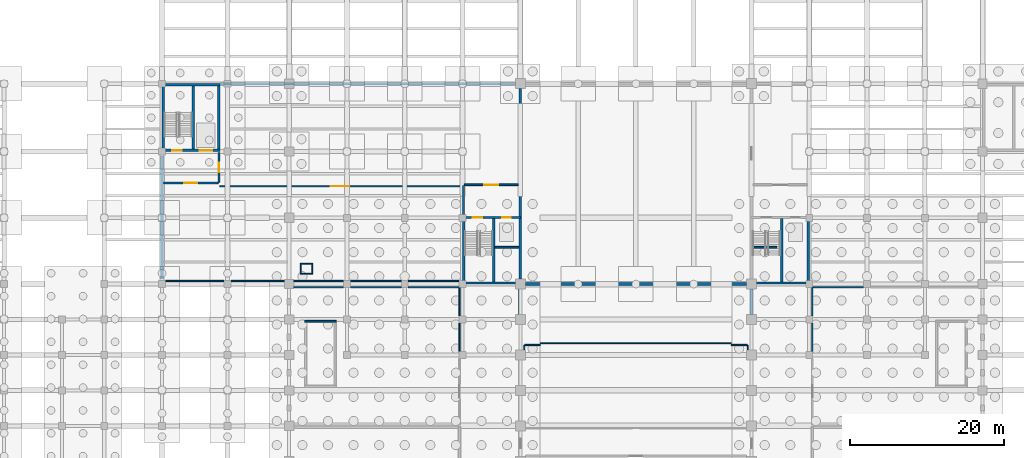
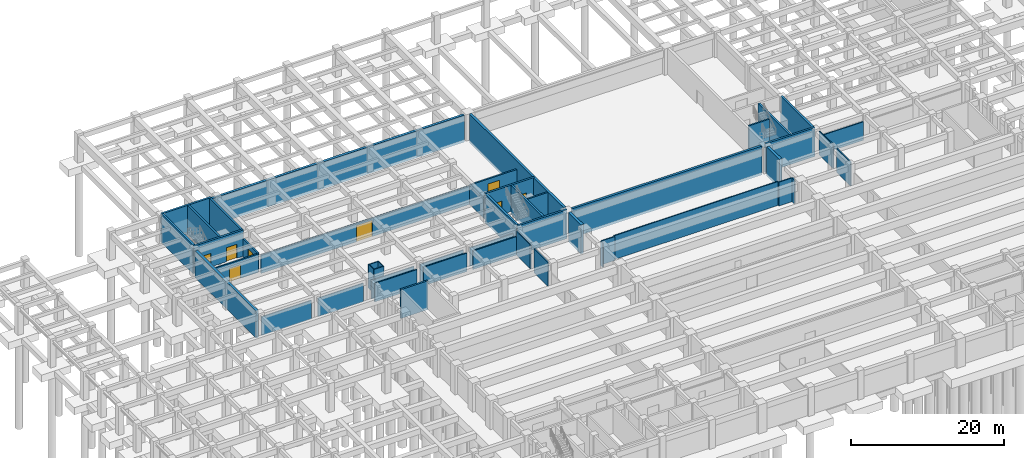
# One storey, part 24 of 32: 48 walls, 8 doors, 8 openings.
"""IFC4 building model written with IfcOpenShell, lengths in metres."""

from ifc_helpers import new_model, si_unit, direction, frame, frame_2d, origin, place, context, subcontext, project, spatial, rectangle, extrude, material, layer, layer_set, type_object, element, fill, save


model = new_model("IFC4")

# Units and contexts
model_context = context("Model", 3, precision=1e-05, world=origin(), true_north=direction((0.0, 1.0)))
body_context = subcontext(model_context, "Body", "Model", "MODEL_VIEW")
ifc_project = project(units=[si_unit("LENGTHUNIT", "METRE"), si_unit("AREAUNIT", "SQUARE_METRE"), si_unit("VOLUMEUNIT", "CUBIC_METRE"), si_unit("PLANEANGLEUNIT", "RADIAN"), si_unit("MASSUNIT", "GRAM", prefix="KILO")], contexts=[model_context])

# Site, building, storey
site_placement = place(None, origin())
site = spatial("IfcSite", under=ifc_project, at=site_placement, CompositionType="ELEMENT")
building_placement = place(site_placement, origin())
building = spatial("IfcBuilding", under=site, at=building_placement, Name="Muzn Square Opera House", CompositionType="ELEMENT")
storey_placement = place(building_placement, frame((0.0, 0.0, -4.199951171875)))
storey = spatial("IfcBuildingStorey", under=building, at=storey_placement, Name="B1", CompositionType="ELEMENT", Elevation=-4.199951171875)

# Walls
ifc_material_1 = material(Name="Concrete C45/55", Category="concrete")
ifc_layer_1 = layer(ifc_material_1, 0.419921875, Name="Concrete C45/55", Category="concrete")
ifc_layer_set_1 = layer_set([ifc_layer_1], Name="Concrete C45/55")
wall_type_1 = type_object("IfcWallType", Name="Auditorium Acoustic Shear Wall 420mm", PredefinedType="SHEAR", material=ifc_layer_set_1)
for number, where, z_axis, x_axis, name in (
    (1, (73.0, 68.639892578125, -0.420166015625), (0.0, 0.0, 1.0), (0.0, 1.0, 0.0), "Auditorium Acoustic Shear Wall AUDW-B1-W10"),
    (2, (103.0, 68.639892578125, -0.420166015625), (0.0, 0.0, 1.0), (0.0, 1.0, 0.0), "Auditorium Acoustic Shear Wall AUDW-B1-E10"),
):
    element("IfcWall", number, at=place(storey_placement, frame(where, z_axis=z_axis, x_axis=x_axis)), inside=storey, type_object=wall_type_1, Name=name, PredefinedType="SHEAR", context=body_context, shape_type="SweptSolid", body=[
        extrude(rectangle(XDim=3.320068359375, YDim=0.419921875, at=frame_2d((1.66015625, 0.0))), origin(), (0.0, 0.0, 1.0), 4.6201171875),
    ])
ifc_layer_2 = layer(ifc_material_1, 0.3798828125, Name="Concrete C45/55", Category="concrete")
ifc_layer_set_2 = layer_set([ifc_layer_2], Name="Concrete C45/55")
wall_type_2 = type_object("IfcWallType", Name="Basement Retaining Wall 380mm", PredefinedType="SHEAR", material=ifc_layer_set_2)
wall_1_placement = place(storey_placement, frame((26.5, 73.25, -0.420166015625), z_axis=(0.0, 0.0, 1.0), x_axis=(0.0, 1.0, 0.0)))
element("IfcWall", 3, at=wall_1_placement, inside=storey, type_object=wall_type_2, Name="Basement Retaining Wall RET-B1-WN", PredefinedType="SHEAR", context=body_context, shape_type="SweptSolid", body=[
    extrude(rectangle(XDim=15.949951171875, YDim=0.3798828125, at=frame_2d((7.97509765625, 0.0))), origin(), (0.0, 0.0, 1.0), 4.300048828125),
])
wall_2_placement = place(storey_placement, frame((34.02001953125, 98.60009765625, -0.420166015625), z_axis=(0.0, 0.0, 1.0), x_axis=(1.0, 0.0, 0.0)))
element("IfcWall", 4, at=wall_2_placement, inside=storey, type_object=wall_type_2, Name="Basement Retaining Wall RET-B1-NW", PredefinedType="SHEAR", context=body_context, shape_type="SweptSolid", body=[
    extrude(rectangle(XDim=38.330078125, YDim=0.3798828125, at=frame_2d((19.1650390625, 0.0))), origin(), (0.0, 0.0, 1.0), 4.300048828125),
])
ifc_layer_3 = layer(ifc_material_1, 0.300048828125, Name="Concrete C45/55", Category="concrete")
ifc_layer_set_3 = layer_set([ifc_layer_3], Name="Concrete C45/55")
wall_type_3 = type_object("IfcWallType", Name="Core Shear Wall 300mm", PredefinedType="SHEAR", material=ifc_layer_set_3)
wall_3_placement = place(storey_placement, frame((65.5, 72.75, -0.420166015625), z_axis=(0.0, 0.0, 1.0), x_axis=(1.0, 0.0, 0.0)))
element("IfcWall", 5, at=wall_3_placement, inside=storey, type_object=wall_type_3, Name="Core C1 Shear Wall SW-C1-B1-S", PredefinedType="SHEAR", context=body_context, shape_type="SweptSolid", body=[
    extrude(rectangle(XDim=7.5, YDim=0.300048828125, at=frame_2d((3.75, 0.0))), origin(), (0.0, 0.0, 1.0), 4.6201171875),
])
for number, where, z_axis, x_axis, name in (
    (6, (65.64990234375, 72.89990234375, -0.420166015625), (0.0, 0.0, 1.0), (0.0, 1.0, 0.0), "Core C1 Shear Wall SW-C1-B1-W"),
    (7, (69.550048828125, 72.89990234375, -0.420166015625), (0.0, 0.0, 1.0), (0.0, 1.0, 0.0), "Core C1 Shear Wall SW-C1-B1-DIV"),
):
    element("IfcWall", number, at=place(storey_placement, frame(where, z_axis=z_axis, x_axis=x_axis)), inside=storey, type_object=wall_type_3, Name=name, PredefinedType="SHEAR", context=body_context, shape_type="SweptSolid", body=[
        extrude(rectangle(XDim=8.2001953125, YDim=0.300048828125, at=frame_2d((4.10009765625, 0.0))), origin(), (0.0, 0.0, 1.0), 4.6201171875),
    ])
wall_4_placement = place(storey_placement, frame((103.0, 72.75, -0.420166015625), z_axis=(0.0, 0.0, 1.0), x_axis=(1.0, 0.0, 0.0)))
element("IfcWall", 8, at=wall_4_placement, inside=storey, type_object=wall_type_3, Name="Core C2 Shear Wall SW-C2-B1-S", PredefinedType="SHEAR", context=body_context, shape_type="SweptSolid", body=[
    extrude(rectangle(XDim=7.5, YDim=0.300048828125, at=frame_2d((3.75, 0.0))), origin(), (0.0, 0.0, 1.0), 4.6201171875),
])
for number, where, z_axis, x_axis, name in (
    (9, (110.35009765625, 72.89990234375, -0.420166015625), (0.0, 0.0, 1.0), (0.0, 1.0, 0.0), "Core C2 Shear Wall SW-C2-B1-E"),
    (10, (106.919921875, 72.89990234375, -0.420166015625), (0.0, 0.0, 1.0), (0.0, 1.0, 0.0), "Core C2 Shear Wall SW-C2-B1-DIV"),
):
    element("IfcWall", number, at=place(storey_placement, frame(where, z_axis=z_axis, x_axis=x_axis)), inside=storey, type_object=wall_type_3, Name=name, PredefinedType="SHEAR", context=body_context, shape_type="SweptSolid", body=[
        extrude(rectangle(XDim=8.2001953125, YDim=0.300048828125, at=frame_2d((4.10009765625, 0.0))), origin(), (0.0, 0.0, 1.0), 4.6201171875),
    ])
wall_5_placement = place(storey_placement, frame((26.5, 98.449951171875, -0.420166015625), z_axis=(0.0, 0.0, 1.0), x_axis=(1.0, 0.0, 0.0)))
element("IfcWall", 11, at=wall_5_placement, inside=storey, type_object=wall_type_3, Name="Core C6 Shear Wall SW-C6-B1-N", PredefinedType="SHEAR", context=body_context, shape_type="SweptSolid", body=[
    extrude(rectangle(XDim=7.5, YDim=0.300048828125, at=frame_2d((3.75, 0.0))), origin(), (0.0, 0.0, 1.0), 4.6201171875),
])
for number, where, z_axis, x_axis, name in (
    (12, (26.64990234375, 90.10009765625, -0.420166015625), (0.0, 0.0, 1.0), (0.0, 1.0, 0.0), "Core C6 Shear Wall SW-C6-B1-W"),
    (13, (33.85009765625, 90.10009765625, -0.420166015625), (0.0, 0.0, 1.0), (0.0, 1.0, 0.0), "Core C6 Shear Wall SW-C6-B1-E"),
    (14, (30.550048828125, 90.10009765625, -0.420166015625), (0.0, 0.0, 1.0), (0.0, 1.0, 0.0), "Core C6 Shear Wall SW-C6-B1-DIV"),
):
    element("IfcWall", number, at=place(storey_placement, frame(where, z_axis=z_axis, x_axis=x_axis)), inside=storey, type_object=wall_type_3, Name=name, PredefinedType="SHEAR", context=body_context, shape_type="SweptSolid", body=[
        extrude(rectangle(XDim=8.199951171875, YDim=0.300048828125, at=frame_2d((4.10009765625, 0.0))), origin(), (0.0, 0.0, 1.0), 4.6201171875),
    ])
wall_6_placement = place(storey_placement, frame((45.0, 67.77490234375, -0.420166015625), z_axis=(0.0, 0.0, 1.0), x_axis=(1.0, 0.0, 0.0)))
element("IfcWall", 15, at=wall_6_placement, inside=storey, type_object=wall_type_3, Name="Escape Stair ST-9 Substructure Wall N", PredefinedType="SHEAR", context=body_context, shape_type="SweptSolid", body=[
    extrude(rectangle(XDim=4.10009765625, YDim=0.25, at=frame_2d((2.050048828125, 0.0))), origin(), (0.0, 0.0, 1.0), 4.6201171875),
])

# Wall, openings, doors
wall_7_placement = place(storey_placement, frame((65.5, 81.25, 0.0), z_axis=(0.0, 0.0, 1.0), x_axis=(1.0, 0.0, 0.0)))
wall_7 = element("IfcWall", 16, at=wall_7_placement, inside=storey, type_object=wall_type_3, Name="Core C1 Front Shear Wall B1", PredefinedType="SHEAR", context=body_context, shape_type="SweptSolid", body=[
    extrude(rectangle(XDim=7.5, YDim=0.300048828125, at=frame_2d((3.75, 0.0))), origin(), (0.0, 0.0, 1.0), 4.199951171875),
])
opening_1_placement = place(wall_7_placement, frame((1.35009765625, 0.0, 0.0)))
opening_1 = element("IfcOpeningElement", 17, at=opening_1_placement, cuts=wall_7, Name="Opening DR-ST12", PredefinedType="OPENING", context=body_context, shape_type="SweptSolid", body=[
    extrude(rectangle(XDim=1.199951171875, YDim=2.14990234375, at=frame_2d((0.60009765625, 1.074951171875))), frame((0.0, 0.159912109375, 0.0), z_axis=(0.0, -1.0, 0.0), x_axis=(1.0, 0.0, 0.0)), (0.0, 0.0, 1.0), 0.320068359375),
])
opening_2_placement = place(wall_7_placement, frame((5.14990234375, 0.0, 0.0)))
opening_2 = element("IfcOpeningElement", 18, at=opening_2_placement, cuts=wall_7, Name="Opening LD-01", PredefinedType="OPENING", context=body_context, shape_type="SweptSolid", body=[
    extrude(rectangle(XDim=1.10009765625, YDim=2.14990234375, at=frame_2d((0.550048828125, 1.074951171875))), frame((0.0, 0.159912109375, 0.0), z_axis=(0.0, -1.0, 0.0), x_axis=(1.0, 0.0, 0.0)), (0.0, 0.0, 1.0), 0.320068359375),
])
ifc_material_2 = material(Name="Galvanised painted steel leaf", Category="metal")
door_type_1 = type_object("IfcDoorType", Name="Core Stair Fire Door 1200x2150", OperationType="NOTDEFINED", PredefinedType="DOOR", material=ifc_material_2)
door_1_placement = place(opening_1_placement, origin())
door_1 = element("IfcDoor", 19, at=door_1_placement, inside=storey, type_object=door_type_1, Name="Core C1 Stair Door B1", OperationType="SINGLE_SWING_LEFT", OverallHeight=2.14990234375, OverallWidth=1.199951171875, PredefinedType="DOOR", context=body_context, shape_type="SweptSolid", body=[
    extrude(rectangle(XDim=1.199951171875, YDim=2.14990234375, at=frame_2d((0.60009765625, 1.074951171875))), frame((0.0, 0.02490234375, 0.0), z_axis=(0.0, -1.0, 0.0), x_axis=(1.0, 0.0, 0.0)), (0.0, 0.0, 1.0), 0.050048828125),
])
fill(opening_1, door_1)
ifc_material_3 = material(Name="Brushed stainless steel", Category="metal")
door_type_2 = type_object("IfcDoorType", Name="Lift Landing Sliding Door 1100x2150", OperationType="SLIDING_TO_LEFT", PredefinedType="DOOR", material=ifc_material_3)
door_2_placement = place(opening_2_placement, origin())
door_2 = element("IfcDoor", 20, at=door_2_placement, inside=storey, type_object=door_type_2, Name="Lift FFL-1 Sliding Landing Door B1", OperationType="SLIDING_TO_LEFT", OverallHeight=2.14990234375, OverallWidth=1.10009765625, PredefinedType="DOOR", context=body_context, shape_type="SweptSolid", body=[
    extrude(rectangle(XDim=1.10009765625, YDim=2.14990234375, at=frame_2d((0.550048828125, 1.074951171875))), frame((0.0, 0.02490234375, 0.0), z_axis=(0.0, -1.0, 0.0), x_axis=(1.0, 0.0, 0.0)), (0.0, 0.0, 1.0), 0.050048828125),
])
fill(opening_2, door_2)

wall_8_placement = place(storey_placement, frame((26.5, 89.949951171875, 0.0), z_axis=(0.0, 0.0, 1.0), x_axis=(1.0, 0.0, 0.0)))
wall_8 = element("IfcWall", 21, at=wall_8_placement, inside=storey, type_object=wall_type_3, Name="Core C6 Front Shear Wall B1", PredefinedType="SHEAR", context=body_context, shape_type="SweptSolid", body=[
    extrude(rectangle(XDim=7.5, YDim=0.300048828125, at=frame_2d((3.75, 0.0))), origin(), (0.0, 0.0, 1.0), 4.199951171875),
])
opening_3_placement = place(wall_8_placement, frame((2.550048828125, 0.0, 0.0), z_axis=(0.0, 0.0, 1.0), x_axis=(-1.0, 0.0, 0.0)))
opening_3 = element("IfcOpeningElement", 22, at=opening_3_placement, cuts=wall_8, Name="Opening DR-ST12", PredefinedType="OPENING", context=body_context, shape_type="SweptSolid", body=[
    extrude(rectangle(XDim=1.199951171875, YDim=2.14990234375, at=frame_2d((0.60009765625, 1.074951171875))), frame((0.0, 0.159912109375, 0.0), z_axis=(0.0, -1.0, 0.0), x_axis=(1.0, 0.0, 0.0)), (0.0, 0.0, 1.0), 0.320068359375),
])
opening_4_placement = place(wall_8_placement, frame((4.89990234375, 0.0, 0.0)))
opening_4 = element("IfcOpeningElement", 23, at=opening_4_placement, cuts=wall_8, Name="Opening LD-02", PredefinedType="OPENING", context=body_context, shape_type="SweptSolid", body=[
    extrude(rectangle(XDim=1.60009765625, YDim=2.25, at=frame_2d((0.800048828125, 1.125))), frame((0.0, 0.159912109375, 0.0), z_axis=(0.0, -1.0, 0.0), x_axis=(1.0, 0.0, 0.0)), (0.0, 0.0, 1.0), 0.320068359375),
])
door_3_placement = place(opening_3_placement, origin())
door_3 = element("IfcDoor", 24, at=door_3_placement, inside=storey, type_object=door_type_1, Name="Core C6 Stair Door B1", OperationType="SINGLE_SWING_RIGHT", OverallHeight=2.14990234375, OverallWidth=1.199951171875, PredefinedType="DOOR", context=body_context, shape_type="SweptSolid", body=[
    extrude(rectangle(XDim=1.199951171875, YDim=2.14990234375, at=frame_2d((0.60009765625, 1.074951171875))), frame((0.0, 0.02490234375, 0.0), z_axis=(0.0, -1.0, 0.0), x_axis=(1.0, 0.0, 0.0)), (0.0, 0.0, 1.0), 0.050048828125),
])
fill(opening_3, door_3)
door_type_3 = type_object("IfcDoorType", Name="Goods Lift Sliding Door 1600x2250", OperationType="SLIDING_TO_LEFT", PredefinedType="DOOR", material=ifc_material_3)
door_4_placement = place(opening_4_placement, origin())
door_4 = element("IfcDoor", 25, at=door_4_placement, inside=storey, type_object=door_type_3, Name="Lift GL-1 Sliding Landing Door B1", OperationType="SLIDING_TO_LEFT", OverallHeight=2.25, OverallWidth=1.60009765625, PredefinedType="DOOR", context=body_context, shape_type="SweptSolid", body=[
    extrude(rectangle(XDim=1.60009765625, YDim=2.25, at=frame_2d((0.800048828125, 1.125))), frame((0.0, 0.02490234375, 0.0), z_axis=(0.0, -1.0, 0.0), x_axis=(1.0, 0.0, 0.0)), (0.0, 0.0, 1.0), 0.050048828125),
])
fill(opening_4, door_4)

# Wall, opening, door
ifc_material_4 = material(Name="Concrete C40/50", Category="concrete")
ifc_layer_4 = layer(ifc_material_4, 0.239990234375, Name="Concrete C40/50", Category="concrete")
ifc_layer_set_4 = layer_set([ifc_layer_4], Name="Concrete C40/50")
wall_type_4 = type_object("IfcWallType", Name="Firefighting Lobby Wall 240mm", PredefinedType="SOLIDWALL", material=ifc_layer_set_4)
wall_9_placement = place(storey_placement, frame((65.739990234375, 85.47998046875, 0.0), z_axis=(0.0, 0.0, 1.0), x_axis=(1.0, 0.0, 0.0)))
wall_9 = element("IfcWall", 26, at=wall_9_placement, inside=storey, type_object=wall_type_4, Name="Lobby C1 Enclosure Wall B1", PredefinedType="SOLIDWALL", context=body_context, shape_type="SweptSolid", body=[
    extrude(rectangle(XDim=7.02001953125, YDim=0.239990234375, at=frame_2d((3.510009765625, 0.0))), origin(), (0.0, 0.0, 1.0), 2.9599609375),
])
opening_5_placement = place(wall_9_placement, frame((2.610107421875, 0.0, 0.0)))
opening_5 = element("IfcOpeningElement", 27, at=opening_5_placement, cuts=wall_9, Name="Opening DR-FL18", PredefinedType="OPENING", context=body_context, shape_type="SweptSolid", body=[
    extrude(rectangle(XDim=1.800048828125, YDim=2.179931640625, at=frame_2d((0.89990234375, 1.08984375))), frame((0.0, 0.1298828125, 0.0), z_axis=(0.0, -1.0, 0.0), x_axis=(1.0, 0.0, 0.0)), (0.0, 0.0, 1.0), 0.260009765625),
])
door_type_4 = type_object("IfcDoorType", Name="Firefighting Lobby Double Door 1800x2180", OperationType="DOUBLE_DOOR_SINGLE_SWING", PredefinedType="DOOR", material=ifc_material_2)
door_5_placement = place(opening_5_placement, origin())
door_5 = element("IfcDoor", 28, at=door_5_placement, inside=storey, type_object=door_type_4, Name="Lobby C1 Fire Door B1", OperationType="DOUBLE_DOOR_SINGLE_SWING", OverallHeight=2.179931640625, OverallWidth=1.800048828125, PredefinedType="DOOR", context=body_context, shape_type="SweptSolid", body=[
    extrude(rectangle(XDim=1.800048828125, YDim=2.179931640625, at=frame_2d((0.89990234375, 1.08984375))), frame((0.0, 0.02490234375, 0.0), z_axis=(0.0, -1.0, 0.0), x_axis=(1.0, 0.0, 0.0)), (0.0, 0.0, 1.0), 0.050048828125),
])
fill(opening_5, door_5)

# Walls
wall_10_placement = place(storey_placement, frame((65.6201171875, 81.550048828125, 0.0), z_axis=(0.0, 0.0, 1.0), x_axis=(0.0, 1.0, 0.0)))
element("IfcWall", 29, at=wall_10_placement, inside=storey, type_object=wall_type_4, Name="Lobby C1 Side Wall W B1", PredefinedType="SOLIDWALL", context=body_context, shape_type="SweptSolid", body=[
    extrude(rectangle(XDim=3.81005859375, YDim=0.239990234375, at=frame_2d((1.905029296875, 0.0))), origin(), (0.0, 0.0, 1.0), 2.9599609375),
])
ifc_layer_5 = layer(ifc_material_1, 0.35009765625, Name="Concrete C45/55", Category="concrete")
ifc_layer_set_5 = layer_set([ifc_layer_5], Name="Concrete C45/55")
wall_type_5 = type_object("IfcWallType", Name="Fly Tower Shear Wall 350mm", PredefinedType="SHEAR", material=ifc_layer_set_5)
wall_11_placement = place(storey_placement, frame((73.0, 73.239990234375, -0.420166015625), z_axis=(0.0, 0.0, 1.0), x_axis=(0.0, 1.0, 0.0)))
element("IfcWall", 30, at=wall_11_placement, inside=storey, type_object=wall_type_5, Name="Fly Tower Shear Wall FTW-B1-W", PredefinedType="SHEAR", context=body_context, shape_type="SweptSolid", body=[
    extrude(rectangle(XDim=24.719970703125, YDim=0.35009765625, at=frame_2d((12.35986328125, 0.0))), origin(), (0.0, 0.0, 1.0), 4.6201171875),
])
wall_12_placement = place(storey_placement, frame((73.639892578125, 72.60009765625, -0.420166015625), z_axis=(0.0, 0.0, 1.0), x_axis=(1.0, 0.0, 0.0)))
element("IfcWall", 31, at=wall_12_placement, inside=storey, type_object=wall_type_5, Name="Fly Tower Shear Wall FTW-B1-S", PredefinedType="SHEAR", context=body_context, shape_type="SweptSolid", body=[
    extrude(rectangle(XDim=28.72021484375, YDim=0.35009765625, at=frame_2d((14.360107421875, 0.0))), origin(), (0.0, 0.0, 1.0), 4.6201171875),
])
ifc_layer_6 = layer(ifc_material_4, 0.219970703125, Name="Concrete C40/50", Category="concrete")
ifc_layer_set_6 = layer_set([ifc_layer_6], Name="Concrete C40/50")
wall_type_6 = type_object("IfcWallType", Name="Lift Lobby Wall 220mm", PredefinedType="SOLIDWALL", material=ifc_layer_set_6)
for number, where, z_axis, x_axis, name in (
    (32, (69.699951171875, 77.3798828125, 0.0), (0.0, 0.0, 1.0), (1.0, 0.0, 0.0), "Core C1 Lift Shaft South Wall B1"),
    (33, (103.179931640625, 77.3798828125, 0.0), (0.0, 0.0, 1.0), (1.0, 0.0, 0.0), "Core C2 Lift Shaft South Wall B1"),
):
    element("IfcWall", number, at=place(storey_placement, frame(where, z_axis=z_axis, x_axis=x_axis)), inside=storey, type_object=wall_type_6, Name=name, PredefinedType="SOLIDWALL", context=body_context, shape_type="SweptSolid", body=[
        extrude(rectangle(XDim=3.1201171875, YDim=0.219970703125, at=frame_2d((1.56005859375, 0.0))), origin(), (0.0, 0.0, 1.0), 4.199951171875),
    ])

# Wall, opening, door
wall_13_placement = place(storey_placement, frame((26.719970703125, 85.7099609375, 0.0), z_axis=(0.0, 0.0, 1.0), x_axis=(1.0, 0.0, 0.0)))
wall_13 = element("IfcWall", 34, at=wall_13_placement, inside=storey, type_object=wall_type_6, Name="Lobby C6 Enclosure Wall B1", PredefinedType="SOLIDWALL", context=body_context, shape_type="SweptSolid", body=[
    extrude(rectangle(XDim=7.06005859375, YDim=0.219970703125, at=frame_2d((3.530029296875, 0.0))), origin(), (0.0, 0.0, 1.0), 2.9599609375),
])
opening_6_placement = place(wall_13_placement, frame((4.3798828125, 0.0, 0.0), z_axis=(0.0, 0.0, 1.0), x_axis=(-1.0, 0.0, 0.0)))
opening_6 = element("IfcOpeningElement", 35, at=opening_6_placement, cuts=wall_13, Name="Opening DR-LL17", PredefinedType="OPENING", context=body_context, shape_type="SweptSolid", body=[
    extrude(rectangle(XDim=1.699951171875, YDim=2.179931640625, at=frame_2d((0.85009765625, 1.08984375))), frame((0.0, 0.119873046875, 0.0), z_axis=(0.0, -1.0, 0.0), x_axis=(1.0, 0.0, 0.0)), (0.0, 0.0, 1.0), 0.239990234375),
])
ifc_material_5 = material(Name="Acoustic hardwood leaf", Category="wood")
door_type_5 = type_object("IfcDoorType", Name="Lift Lobby Double Door 1700x2180", OperationType="DOUBLE_DOOR_SINGLE_SWING", PredefinedType="DOOR", material=ifc_material_5)
door_6_placement = place(opening_6_placement, origin())
door_6 = element("IfcDoor", 36, at=door_6_placement, inside=storey, type_object=door_type_5, Name="Lobby C6 Fire Door B1", OperationType="DOUBLE_DOOR_SINGLE_SWING", OverallHeight=2.179931640625, OverallWidth=1.699951171875, PredefinedType="DOOR", context=body_context, shape_type="SweptSolid", body=[
    extrude(rectangle(XDim=1.699951171875, YDim=2.179931640625, at=frame_2d((0.85009765625, 1.08984375))), frame((0.0, 0.02490234375, 0.0), z_axis=(0.0, -1.0, 0.0), x_axis=(1.0, 0.0, 0.0)), (0.0, 0.0, 1.0), 0.050048828125),
])
fill(opening_6, door_6)

wall_14_placement = place(storey_placement, frame((33.889892578125, 85.820068359375, 0.0), z_axis=(0.0, 0.0, 1.0), x_axis=(0.0, 1.0, 0.0)))
wall_14 = element("IfcWall", 37, at=wall_14_placement, inside=storey, type_object=wall_type_6, Name="Lobby C6 Side Wall E B1", PredefinedType="SOLIDWALL", context=body_context, shape_type="SweptSolid", body=[
    extrude(rectangle(XDim=3.829833984375, YDim=0.219970703125, at=frame_2d((1.9150390625, 0.0))), origin(), (0.0, 0.0, 1.0), 2.9599609375),
])
opening_7_placement = place(wall_14_placement, frame((2.514892578125, 0.0, 0.0), z_axis=(0.0, 0.0, 1.0), x_axis=(-1.0, 0.0, 0.0)))
opening_7 = element("IfcOpeningElement", 38, at=opening_7_placement, cuts=wall_14, Name="Opening DR-ST12", PredefinedType="OPENING", context=body_context, shape_type="SweptSolid", body=[
    extrude(rectangle(XDim=1.199951171875, YDim=2.14990234375, at=frame_2d((0.60009765625, 1.074951171875))), frame((0.0, 0.119873046875, 0.0), z_axis=(0.0, -1.0, 0.0), x_axis=(1.0, 0.0, 0.0)), (0.0, 0.0, 1.0), 0.239990234375),
])
door_7_placement = place(opening_7_placement, origin())
door_7 = element("IfcDoor", 39, at=door_7_placement, inside=storey, type_object=door_type_1, Name="Lobby C6 Side Door E B1", OperationType="SINGLE_SWING_LEFT", OverallHeight=2.14990234375, OverallWidth=1.199951171875, PredefinedType="DOOR", context=body_context, shape_type="SweptSolid", body=[
    extrude(rectangle(XDim=1.199951171875, YDim=2.14990234375, at=frame_2d((0.60009765625, 1.074951171875))), frame((0.0, 0.02490234375, 0.0), z_axis=(0.0, -1.0, 0.0), x_axis=(1.0, 0.0, 0.0)), (0.0, 0.0, 1.0), 0.050048828125),
])
fill(opening_7, door_7)

# Walls
ifc_material_6 = material(Name="Acoustic gypsum stud partition", Category="gypsum")
ifc_layer_7 = layer(ifc_material_6, 0.14990234375, Name="Acoustic gypsum stud partition", Category="gypsum")
ifc_layer_set_7 = layer_set([ifc_layer_7], Name="Acoustic gypsum stud partition")
wall_type_7 = type_object("IfcWallType", Name="Office Acoustic Partition 150mm", PredefinedType="PARTITIONING", material=ifc_layer_set_7)
wall_15_placement = place(storey_placement, frame((75.60009765625, 64.89990234375, 0.0), z_axis=(0.0, 0.0, 1.0), x_axis=(1.0, 0.0, 0.0)))
element("IfcWall", 40, at=wall_15_placement, inside=storey, type_object=wall_type_7, Name="Interior Partition PW-B1-0001", PredefinedType="PARTITIONING", context=body_context, shape_type="SweptSolid", body=[
    extrude(rectangle(XDim=24.7998046875, YDim=0.14990234375, at=frame_2d((12.39990234375, 0.0))), origin(), (0.0, 0.0, 1.0), 3.820068359375),
])
for number, where, z_axis, x_axis, name in (
    (41, (73.56005859375, 64.699951171875, 0.0), (0.0, 0.0, 1.0), (1.0, 0.0, 0.0), "Room Enclosure Partition PW-B1-0020"),
    (42, (100.39990234375, 64.699951171875, 0.0), (0.0, 0.0, 1.0), (1.0, 0.0, 0.0), "Room Enclosure Partition PW-B1-0021"),
):
    element("IfcWall", number, at=place(storey_placement, frame(where, z_axis=z_axis, x_axis=x_axis)), inside=storey, type_object=wall_type_7, Name=name, PredefinedType="PARTITIONING", context=body_context, shape_type="SweptSolid", body=[
        extrude(rectangle(XDim=2.0400390625, YDim=0.14990234375, at=frame_2d((1.02001953125, 0.0))), origin(), (0.0, 0.0, 1.0), 3.820068359375),
    ])
for number, where, z_axis, x_axis, name in (
    (43, (73.5, 64.070068359375, 0.0), (0.0, 0.0, 1.0), (0.0, 1.0, 0.0), "Room Enclosure Partition PW-B1-0022"),
    (44, (102.5, 64.070068359375, 0.0), (0.0, 0.0, 1.0), (0.0, 1.0, 0.0), "Room Enclosure Partition PW-B1-0023"),
):
    element("IfcWall", number, at=place(storey_placement, frame(where, z_axis=z_axis, x_axis=x_axis)), inside=storey, type_object=wall_type_7, Name=name, PredefinedType="PARTITIONING", context=body_context, shape_type="SweptSolid", body=[
        extrude(rectangle(XDim=0.56982421875, YDim=0.14990234375, at=frame_2d((0.284912109375, 0.0))), origin(), (0.0, 0.0, 1.0), 3.820068359375),
    ])
ifc_layer_8 = layer(ifc_material_6, 0.1298828125, Name="Acoustic gypsum stud partition", Category="gypsum")
ifc_layer_set_8 = layer_set([ifc_layer_8], Name="Acoustic gypsum stud partition")
wall_type_8 = type_object("IfcWallType", Name="Service Closet Partition 130mm", PredefinedType="PARTITIONING", material=ifc_layer_set_8)
for number, where, z_axis, x_axis, name in (
    (45, (44.469970703125, 73.93505859375, 0.0), (0.0, 0.0, 1.0), (1.0, 0.0, 0.0), "MEP Riser Shaft Wall RSR-SW B1-S"),
    (46, (44.469970703125, 75.264892578125, 0.0), (0.0, 0.0, 1.0), (1.0, 0.0, 0.0), "MEP Riser Shaft Wall RSR-SW B1-N"),
):
    element("IfcWall", number, at=place(storey_placement, frame(where, z_axis=z_axis, x_axis=x_axis)), inside=storey, type_object=wall_type_8, Name=name, PredefinedType="PARTITIONING", context=body_context, shape_type="SweptSolid", body=[
        extrude(rectangle(XDim=1.56005859375, YDim=0.1298828125, at=frame_2d((0.780029296875, 0.0))), origin(), (0.0, 0.0, 1.0), 3.820068359375),
    ])
for number, where, z_axis, x_axis, name in (
    (47, (44.534912109375, 74.0, 0.0), (0.0, 0.0, 1.0), (0.0, 1.0, 0.0), "MEP Riser Shaft Wall RSR-SW B1-W"),
    (48, (45.965087890625, 74.0, 0.0), (0.0, 0.0, 1.0), (0.0, 1.0, 0.0), "MEP Riser Shaft Wall RSR-SW B1-E"),
):
    element("IfcWall", number, at=place(storey_placement, frame(where, z_axis=z_axis, x_axis=x_axis)), inside=storey, type_object=wall_type_8, Name=name, PredefinedType="PARTITIONING", context=body_context, shape_type="SweptSolid", body=[
        extrude(rectangle(XDim=1.199951171875, YDim=0.1298828125, at=frame_2d((0.60009765625, 0.0))), origin(), (0.0, 0.0, 1.0), 3.820068359375),
    ])
ifc_layer_9 = layer(ifc_material_6, 0.159912109375, Name="Acoustic gypsum stud partition", Category="gypsum")
ifc_layer_set_9 = layer_set([ifc_layer_9], Name="Acoustic gypsum stud partition")
wall_type_9 = type_object("IfcWallType", Name="Workshop Rated Partition 160mm", PredefinedType="PARTITIONING", material=ifc_layer_set_9)
for number, where, z_axis, x_axis, name in (
    (49, (65.10009765625, 63.8701171875, 0.0), (0.0, 0.0, 1.0), (0.0, 1.0, 0.0), "Interior Partition PW-B1-0012"),
    (50, (65.10009765625, 68.469970703125, 0.0), (0.0, 0.0, 1.0), (0.0, 1.0, 0.0), "Interior Partition PW-B1-0013"),
    (51, (110.89990234375, 63.8701171875, 0.0), (0.0, 0.0, 1.0), (0.0, 1.0, 0.0), "Interior Partition PW-B1-0015"),
    (52, (110.89990234375, 68.469970703125, 0.0), (0.0, 0.0, 1.0), (0.0, 1.0, 0.0), "Interior Partition PW-B1-0016"),
):
    element("IfcWall", number, at=place(storey_placement, frame(where, z_axis=z_axis, x_axis=x_axis)), inside=storey, type_object=wall_type_9, Name=name, PredefinedType="PARTITIONING", context=body_context, shape_type="SweptSolid", body=[
        extrude(rectangle(XDim=3.659912109375, YDim=0.159912109375, at=frame_2d((1.830078125, 0.0))), origin(), (0.0, 0.0, 1.0), 3.820068359375),
    ])

# Wall, opening, door
wall_16_placement = place(storey_placement, frame((34.0, 85.300048828125, 0.0), z_axis=(0.0, 0.0, 1.0), x_axis=(1.0, 0.0, 0.0)))
wall_16 = element("IfcWall", 53, at=wall_16_placement, inside=storey, type_object=wall_type_9, Name="Interior Partition PW-B1-0017", PredefinedType="PARTITIONING", context=body_context, shape_type="SweptSolid", body=[
    extrude(rectangle(XDim=31.4951171875, YDim=0.159912109375, at=frame_2d((15.74755859375, 0.0))), origin(), (0.0, 0.0, 1.0), 2.9599609375),
])
opening_8_placement = place(wall_16_placement, frame((14.39990234375, 0.0, 0.0)))
opening_8 = element("IfcOpeningElement", 54, at=opening_8_placement, cuts=wall_16, Name="Opening DR-SC24", PredefinedType="OPENING", context=body_context, shape_type="SweptSolid", body=[
    extrude(rectangle(XDim=2.39990234375, YDim=2.60009765625, at=frame_2d((1.199951171875, 1.300048828125))), frame((0.0, 0.08984375, 0.0), z_axis=(0.0, -1.0, 0.0), x_axis=(1.0, 0.0, 0.0)), (0.0, 0.0, 1.0), 0.179931640625),
])
door_type_6 = type_object("IfcDoorType", Name="Stage Scenery Double Door 2400x2600", OperationType="DOUBLE_DOOR_SINGLE_SWING", PredefinedType="DOOR", material=ifc_material_2)
door_8_placement = place(opening_8_placement, origin())
door_8 = element("IfcDoor", 55, at=door_8_placement, inside=storey, type_object=door_type_6, Name="Backstage Scenery Storage Vault Door DR-B1-0010", OperationType="DOUBLE_DOOR_SINGLE_SWING", OverallHeight=2.60009765625, OverallWidth=2.39990234375, PredefinedType="DOOR", context=body_context, shape_type="SweptSolid", body=[
    extrude(rectangle(XDim=2.39990234375, YDim=2.60009765625, at=frame_2d((1.199951171875, 1.300048828125))), frame((0.0, 0.02490234375, 0.0), z_axis=(0.0, -1.0, 0.0), x_axis=(1.0, 0.0, 0.0)), (0.0, 0.0, 1.0), 0.050048828125),
])
fill(opening_8, door_8)

# Walls
wall_17_placement = place(storey_placement, frame((43.6201171875, 72.199951171875, 0.0), z_axis=(0.0, 0.0, 1.0), x_axis=(1.0, 0.0, 0.0)))
element("IfcWall", 56, at=wall_17_placement, inside=storey, type_object=wall_type_9, Name="Room Enclosure Partition PW-B1-0024", PredefinedType="PARTITIONING", context=body_context, shape_type="SweptSolid", body=[
    extrude(rectangle(XDim=6.409912109375, YDim=0.159912109375, at=frame_2d((3.205078125, 0.0))), origin(), (0.0, 0.0, 1.0), 2.9599609375),
])
wall_18_placement = place(storey_placement, frame((50.969970703125, 72.199951171875, 0.0), z_axis=(0.0, 0.0, 1.0), x_axis=(1.0, 0.0, 0.0)))
element("IfcWall", 57, at=wall_18_placement, inside=storey, type_object=wall_type_9, Name="Room Enclosure Partition PW-B1-0025", PredefinedType="PARTITIONING", context=body_context, shape_type="SweptSolid", body=[
    extrude(rectangle(XDim=6.56005859375, YDim=0.159912109375, at=frame_2d((3.280029296875, 0.0))), origin(), (0.0, 0.0, 1.0), 2.9599609375),
])
for number, where, z_axis, x_axis, name in (
    (58, (58.469970703125, 72.199951171875, 0.0), (0.0, 0.0, 1.0), (1.0, 0.0, 0.0), "Room Enclosure Partition PW-B1-0026"),
    (59, (110.965087890625, 72.199951171875, 0.0), (0.0, 0.0, 1.0), (1.0, 0.0, 0.0), "Room Enclosure Partition PW-B1-0027"),
):
    element("IfcWall", number, at=place(storey_placement, frame(where, z_axis=z_axis, x_axis=x_axis)), inside=storey, type_object=wall_type_9, Name=name, PredefinedType="PARTITIONING", context=body_context, shape_type="SweptSolid", body=[
        extrude(rectangle(XDim=6.56494140625, YDim=0.159912109375, at=frame_2d((3.282470703125, 0.0))), origin(), (0.0, 0.0, 1.0), 2.9599609375),
    ])
wall_19_placement = place(storey_placement, frame((26.969970703125, 73.0, 0.0), z_axis=(0.0, 0.0, 1.0), x_axis=(1.0, 0.0, 0.0)))
element("IfcWall", 60, at=wall_19_placement, inside=storey, type_object=wall_type_9, Name="Room Enclosure Partition PW-B1-0030", PredefinedType="PARTITIONING", context=body_context, shape_type="SweptSolid", body=[
    extrude(rectangle(XDim=7.56005859375, YDim=0.159912109375, at=frame_2d((3.780029296875, 0.0))), origin(), (0.0, 0.0, 1.0), 2.9599609375),
])
wall_20_placement = place(storey_placement, frame((35.469970703125, 73.0, 0.0), z_axis=(0.0, 0.0, 1.0), x_axis=(1.0, 0.0, 0.0)))
element("IfcWall", 61, at=wall_20_placement, inside=storey, type_object=wall_type_9, Name="Room Enclosure Partition PW-B1-0031", PredefinedType="PARTITIONING", context=body_context, shape_type="SweptSolid", body=[
    extrude(rectangle(XDim=6.909912109375, YDim=0.159912109375, at=frame_2d((3.455078125, 0.0))), origin(), (0.0, 0.0, 1.0), 2.9599609375),
])
wall_21_placement = place(storey_placement, frame((43.6201171875, 73.0, 0.0), z_axis=(0.0, 0.0, 1.0), x_axis=(1.0, 0.0, 0.0)))
element("IfcWall", 62, at=wall_21_placement, inside=storey, type_object=wall_type_9, Name="Room Enclosure Partition PW-B1-0032", PredefinedType="PARTITIONING", context=body_context, shape_type="SweptSolid", body=[
    extrude(rectangle(XDim=6.409912109375, YDim=0.159912109375, at=frame_2d((3.205078125, 0.0))), origin(), (0.0, 0.0, 1.0), 2.9599609375),
])
for number, where, z_axis, x_axis, name in (
    (63, (50.969970703125, 73.0, 0.0), (0.0, 0.0, 1.0), (1.0, 0.0, 0.0), "Room Enclosure Partition PW-B1-0033"),
    (64, (58.469970703125, 73.0, 0.0), (0.0, 0.0, 1.0), (1.0, 0.0, 0.0), "Room Enclosure Partition PW-B1-0034"),
):
    element("IfcWall", number, at=place(storey_placement, frame(where, z_axis=z_axis, x_axis=x_axis)), inside=storey, type_object=wall_type_9, Name=name, PredefinedType="PARTITIONING", context=body_context, shape_type="SweptSolid", body=[
        extrude(rectangle(XDim=6.56005859375, YDim=0.159912109375, at=frame_2d((3.280029296875, 0.0))), origin(), (0.0, 0.0, 1.0), 2.9599609375),
    ])

save(model, "model.ifc")
